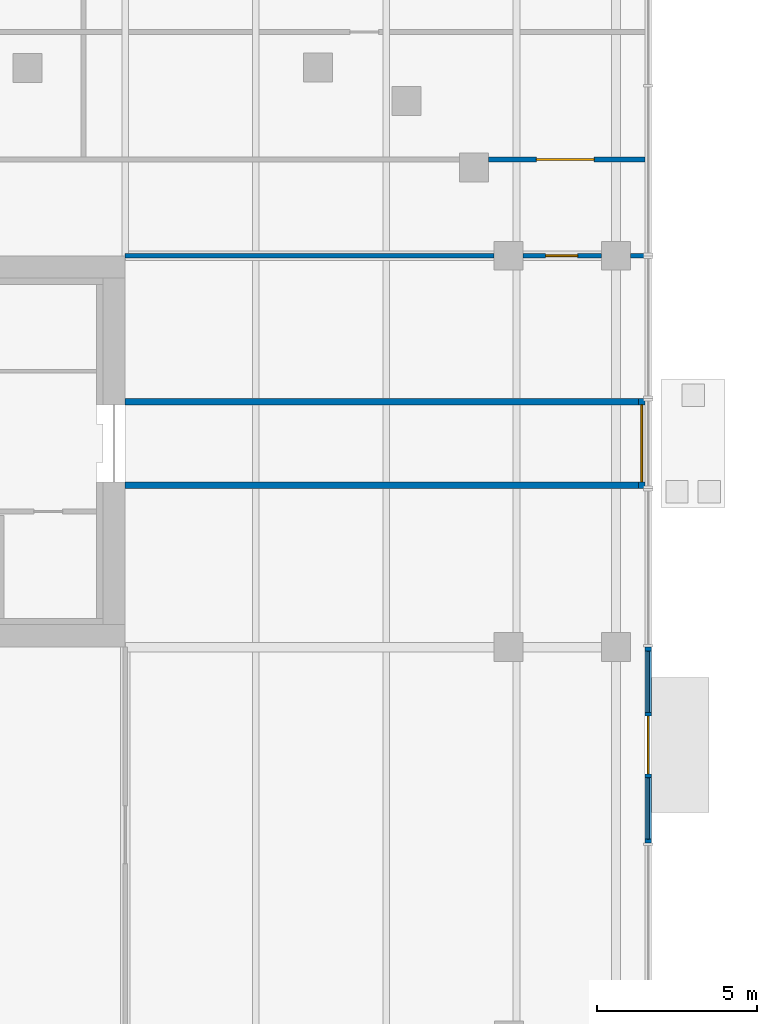
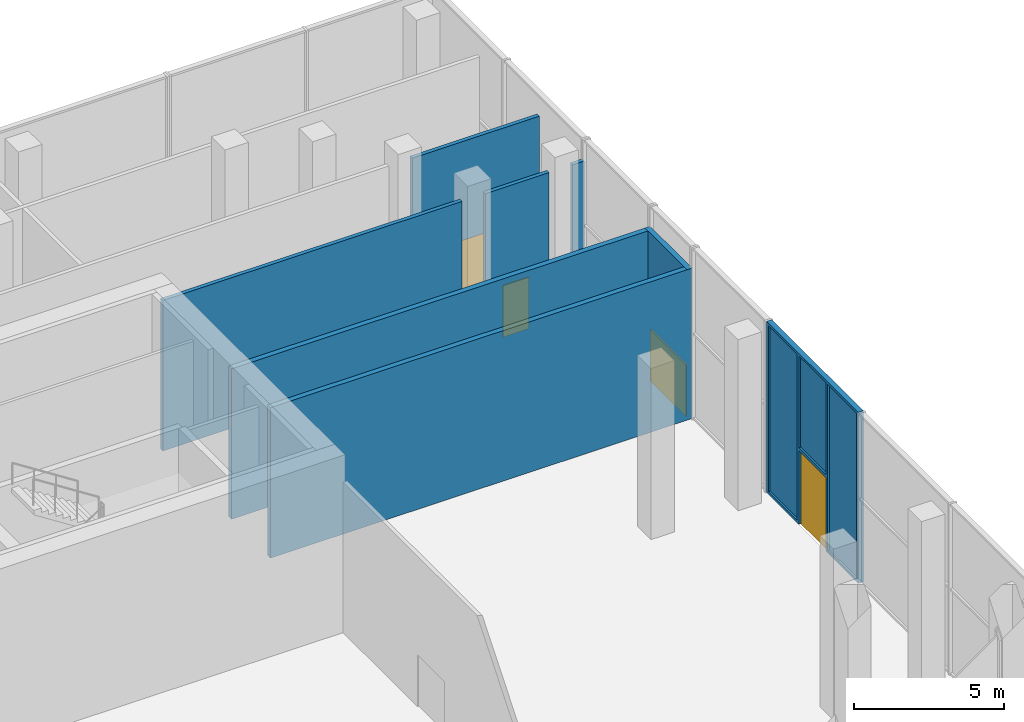
# One storey, part 25 of 36: 8 walls, 4 doors, 3 plates, 7 openings.
"""IFC4 building model written with IfcOpenShell, lengths in metres."""

from ifc_helpers import new_model, si_unit, direction, frame, frame_2d, origin, place, context, subcontext, project, spatial, polyline, rectangle, outline, extrude, source, transform, mapped, material, layer, layer_set, type_object, element, fill, save


model = new_model("IFC4")

# Units and contexts
model_context = context("Model", 3, precision=1e-05, world=origin(), true_north=direction((0.0, 1.0)))
body_context = subcontext(model_context, "Body", "Model", "MODEL_VIEW")
ifc_project = project(units=[si_unit("LENGTHUNIT", "METRE"), si_unit("AREAUNIT", "SQUARE_METRE"), si_unit("VOLUMEUNIT", "CUBIC_METRE"), si_unit("PLANEANGLEUNIT", "RADIAN"), si_unit("MASSUNIT", "GRAM", prefix="KILO")], contexts=[model_context])

# Site, building, storey
site_placement = place(None, origin())
site = spatial("IfcSite", under=ifc_project, at=site_placement, CompositionType="ELEMENT")
building_placement = place(site_placement, origin())
building = spatial("IfcBuilding", under=site, at=building_placement, Name="Tessera Gate Towers", CompositionType="ELEMENT")
storey_placement = place(building_placement, origin())
storey = spatial("IfcBuildingStorey", under=building, at=storey_placement, Name="L00", CompositionType="ELEMENT", Elevation=0.0)

# Wall
ifc_material_1 = material(Name="Gypsum board on steel studs, mineral wool", Category="steel")
ifc_layer_1 = layer(ifc_material_1, 0.14990234375)
ifc_layer_set_1 = layer_set([ifc_layer_1], Name="CORRIDOR WALL 150")
wall_type_1 = type_object("IfcWallType", Name="CORRIDOR WALL 150", PredefinedType="PARTITIONING", material=ifc_layer_set_1)
wall_1_placement = place(storey_placement, frame((122.0, 48.800048828125, 0.0), z_axis=(0.0, 0.0, 1.0), x_axis=(1.0, 0.0, 0.0)))
element("IfcWall", 1, at=wall_1_placement, inside=storey, type_object=wall_type_1, Name="PODIUM-L00-PW-018", PredefinedType="PARTITIONING", context=body_context, shape_type="SweptSolid", body=[
    extrude(rectangle(XDim=11.4990234375, YDim=0.14990234375, at=frame_2d((5.74951171875, 0.0))), origin(), (0.0, 0.0, 1.0), 6.114990234375),
])

# Wall, opening, door
wall_2_placement = place(storey_placement, frame((136.84912109375, 48.800048828125, 0.0), z_axis=(0.0, 0.0, 1.0), x_axis=(-1.0, 0.0, 0.0)))
wall_2 = element("IfcWall", 2, at=wall_2_placement, inside=storey, type_object=wall_type_1, Name="PODIUM-L00-PW-019", PredefinedType="PARTITIONING", context=body_context, shape_type="SweptSolid", body=[
    extrude(rectangle(XDim=2.4482421875, YDim=0.14990234375, at=frame_2d((1.22412109375, 0.0))), origin(), (0.0, 0.0, 1.0), 6.114990234375),
])
shared_shape_1 = source(origin(), body_context, "Body", "SweptSolid", [
    extrude(rectangle(XDim=1.0, YDim=2.10009765625, at=frame_2d((0.5, 1.050048828125))), frame((0.0, 0.0849609375, 0.0), z_axis=(0.0, -1.0, 0.0), x_axis=(1.0, 0.0, 0.0)), (0.0, 0.0, 1.0), 0.169921875),
])
opening_1_placement = place(wall_2_placement, frame((0.748046875, 0.0, 0.0)))
opening_1 = element("IfcOpeningElement", 3, at=opening_1_placement, cuts=wall_2, Name="Opening D2100FD60-P01-03", PredefinedType="OPENING", context=body_context, shape_type="MappedRepresentation", body=[
    mapped(shared_shape_1, transform((0.0, 0.0, 0.0), scale=1.0)),
])
ifc_material_2 = material(Name="Timber door leaf in steel frame", Category="steel")
door_type_1 = type_object("IfcDoorType", Name="TENANCY ENTRANCE DOOR 1000 FD60", OperationType="NOTDEFINED", PredefinedType="DOOR", material=ifc_material_2)
shared_shape_2 = source(origin(), body_context, "Body", "SweptSolid", [
    extrude(rectangle(XDim=1.0, YDim=2.10009765625, at=frame_2d((0.5, 1.050048828125))), frame((0.0, 0.02490234375, 0.0), z_axis=(0.0, -1.0, 0.0), x_axis=(1.0, 0.0, 0.0)), (0.0, 0.0, 1.0), 0.050048828125),
])
door_1_placement = place(opening_1_placement, origin())
door_1 = element("IfcDoor", 4, at=door_1_placement, inside=storey, type_object=door_type_1, Name="PODIUM-L00-PD-015", OperationType="SINGLE_SWING_RIGHT", OverallHeight=2.10009765625, OverallWidth=1.0, PredefinedType="DOOR", context=body_context, shape_type="MappedRepresentation", body=[
    mapped(shared_shape_2, transform((0.0, 0.0, 0.0), scale=1.0)),
])
fill(opening_1, door_1)

# Wall
wall_3_placement = place(storey_placement, frame((137.7509765625, 48.800048828125, 0.0), z_axis=(0.0, 0.0, 1.0), x_axis=(1.0, 0.0, 0.0)))
element("IfcWall", 5, at=wall_3_placement, inside=storey, type_object=wall_type_1, Name="PODIUM-L00-PW-020", PredefinedType="PARTITIONING", context=body_context, shape_type="SweptSolid", body=[
    extrude(rectangle(XDim=0.448974609375, YDim=0.14990234375, at=frame_2d((0.224609375, 0.0))), origin(), (0.0, 0.0, 1.0), 6.114990234375),
])

# Wall, opening, door
wall_4_placement = place(storey_placement, frame((133.320068359375, 51.800048828125, 0.0), z_axis=(0.0, 0.0, 1.0), x_axis=(1.0, 0.0, 0.0)))
wall_4 = element("IfcWall", 6, at=wall_4_placement, inside=storey, type_object=wall_type_1, Name="PODIUM-L00-PW-026", PredefinedType="PARTITIONING", context=body_context, shape_type="SweptSolid", body=[
    extrude(rectangle(XDim=4.8798828125, YDim=0.14990234375, at=frame_2d((2.43994140625, 0.0))), origin(), (0.0, 0.0, 1.0), 6.114990234375),
])
shared_shape_3 = source(origin(), body_context, "Body", "SweptSolid", [
    extrude(rectangle(XDim=1.800048828125, YDim=2.10009765625, at=frame_2d((0.89990234375, 1.050048828125))), frame((0.0, 0.0849609375, 0.0), z_axis=(0.0, -1.0, 0.0), x_axis=(1.0, 0.0, 0.0)), (0.0, 0.0, 1.0), 0.169921875),
])
opening_2_placement = place(wall_4_placement, frame((1.5, 0.0, 0.0)))
opening_2 = element("IfcOpeningElement", 7, at=opening_2_placement, cuts=wall_4, Name="Opening D2180FD60-P01-08", PredefinedType="OPENING", context=body_context, shape_type="MappedRepresentation", body=[
    mapped(shared_shape_3, transform((0.0, 0.0, 0.0), scale=1.0)),
])
ifc_material_3 = material(Name="Timber door leaf in steel frame", Category="steel")
door_type_2 = type_object("IfcDoorType", Name="TENANCY ENTRANCE DOUBLE DOOR 1800 FD60", OperationType="NOTDEFINED", PredefinedType="DOOR", material=ifc_material_3)
shared_shape_4 = source(origin(), body_context, "Body", "SweptSolid", [
    extrude(rectangle(XDim=1.800048828125, YDim=2.10009765625, at=frame_2d((0.89990234375, 1.050048828125))), frame((0.0, 0.02490234375, 0.0), z_axis=(0.0, -1.0, 0.0), x_axis=(1.0, 0.0, 0.0)), (0.0, 0.0, 1.0), 0.050048828125),
])
door_2_placement = place(opening_2_placement, origin())
door_2 = element("IfcDoor", 8, at=door_2_placement, inside=storey, type_object=door_type_2, Name="PODIUM-L00-PD-018", OperationType="DOUBLE_DOOR_SINGLE_SWING", OverallHeight=2.10009765625, OverallWidth=1.800048828125, PredefinedType="DOOR", context=body_context, shape_type="MappedRepresentation", body=[
    mapped(shared_shape_4, transform((0.0, 0.0, 0.0), scale=1.0)),
])
fill(opening_2, door_2)

# Walls
ifc_material_4 = material(Name="Gypsum board on steel studs", Category="steel")
ifc_layer_2 = layer(ifc_material_4, 0.199951171875)
ifc_layer_set_2 = layer_set([ifc_layer_2], Name="EXIT PASSAGE WALL 200")
wall_type_2 = type_object("IfcWallType", Name="EXIT PASSAGE WALL 200", PredefinedType="PARTITIONING", material=ifc_layer_set_2)
for number, where, z_axis, x_axis, name in (
    (9, (122.0, 41.64990234375, 0.0), (0.0, 0.0, 1.0), (1.0, 0.0, 0.0), "L00 exit passage wall"),
    (10, (122.0, 44.25, 0.0), (0.0, 0.0, 1.0), (1.0, 0.0, 0.0), "L00 exit passage wall"),
):
    element("IfcWall", number, at=place(storey_placement, frame(where, z_axis=z_axis, x_axis=x_axis)), inside=storey, type_object=wall_type_2, Name=name, PredefinedType="PARTITIONING", context=body_context, shape_type="SweptSolid", body=[
        extrude(rectangle(XDim=16.199951171875, YDim=0.199951171875, at=frame_2d((8.10009765625, 0.0))), origin(), (0.0, 0.0, 1.0), 6.114990234375),
    ])

# Wall, opening, door
wall_5_placement = place(storey_placement, frame((138.10009765625, 44.35009765625, 0.0), z_axis=(0.0, 0.0, 1.0), x_axis=(0.0, -1.0, 0.0)))
wall_5 = element("IfcWall", 11, at=wall_5_placement, inside=storey, type_object=wall_type_2, Name="L00 exit passage end wall", PredefinedType="PARTITIONING", context=body_context, shape_type="SweptSolid", body=[
    extrude(rectangle(XDim=2.800048828125, YDim=0.199951171875, at=frame_2d((1.39990234375, 0.0))), origin(), (0.0, 0.0, 1.0), 6.114990234375),
])
shared_shape_5 = source(origin(), body_context, "Body", "SweptSolid", [
    extrude(rectangle(XDim=2.39990234375, YDim=2.10009765625, at=frame_2d((1.199951171875, 1.050048828125))), frame((0.0, 0.10986328125, 0.0), z_axis=(0.0, -1.0, 0.0), x_axis=(1.0, 0.0, 0.0)), (0.0, 0.0, 1.0), 0.219970703125),
])
opening_3_placement = place(wall_5_placement, frame((0.199951171875, 0.0, 0.0)))
opening_3 = element("IfcOpeningElement", 12, at=opening_3_placement, cuts=wall_5, Name="Opening ED-T2-COREX", PredefinedType="OPENING", context=body_context, shape_type="MappedRepresentation", body=[
    mapped(shared_shape_5, transform((0.0, 0.0, 0.0), scale=1.0)),
])
ifc_material_5 = material(Name="Hollow steel fire door", Category="steel")
door_type_3 = type_object("IfcDoorType", Name="CORE DOOR DD2400 2400x2100", OperationType="NOTDEFINED", PredefinedType="DOOR", material=ifc_material_5)
shared_shape_6 = source(origin(), body_context, "Body", "SweptSolid", [
    extrude(rectangle(XDim=2.39990234375, YDim=2.10009765625, at=frame_2d((1.199951171875, 1.050048828125))), frame((0.0, 0.02490234375, 0.0), z_axis=(0.0, -1.0, 0.0), x_axis=(1.0, 0.0, 0.0)), (0.0, 0.0, 1.0), 0.050048828125),
])
door_3_placement = place(opening_3_placement, origin())
door_3 = element("IfcDoor", 13, at=door_3_placement, inside=storey, type_object=door_type_3, Name="Final exit door", OperationType="DOUBLE_DOOR_SINGLE_SWING", OverallHeight=2.10009765625, OverallWidth=2.39990234375, PredefinedType="DOOR", context=body_context, shape_type="MappedRepresentation", body=[
    mapped(shared_shape_6, transform((0.0, 0.0, 0.0), scale=1.0)),
])
fill(opening_3, door_3)

# Wall, openings, plates, door
ifc_material_6 = material(Name="Aluminium storefront glazing", Category="aluminium")
ifc_layer_3 = layer(ifc_material_6, 0.199951171875)
ifc_layer_set_3 = layer_set([ifc_layer_3], Name="WS2 storefront bay wall")
wall_type_3 = type_object("IfcWallType", Name="WS2 storefront bay wall", PredefinedType="PARTITIONING", material=ifc_layer_set_3)
wall_6_placement = place(storey_placement, frame((138.300048828125, 30.5, 0.0), z_axis=(0.0, 0.0, 1.0), x_axis=(0.0, 1.0, 0.0)))
wall_6 = element("IfcWall", 14, at=wall_6_placement, inside=storey, type_object=wall_type_3, Name="Storefront bay wall PD WS2-0002", PredefinedType="PARTITIONING", context=body_context, shape_type="SweptSolid", body=[
    extrude(rectangle(XDim=6.10009765625, YDim=0.199951171875, at=frame_2d((3.050048828125, 0.0))), origin(), (0.0, 0.0, 1.0), 6.949951171875),
])
shared_shape_7 = source(origin(), body_context, "Body", "SweptSolid", [
    extrude(rectangle(XDim=1.800048828125, YDim=3.0, at=frame_2d((0.89990234375, 1.5))), frame((0.0, 0.10986328125, 0.0), z_axis=(0.0, -1.0, 0.0), x_axis=(1.0, 0.0, 0.0)), (0.0, 0.0, 1.0), 0.219970703125),
])
opening_4_placement = place(wall_6_placement, frame((2.14990234375, 0.0, 0.0)))
opening_4 = element("IfcOpeningElement", 15, at=opening_4_placement, cuts=wall_6, Name="Opening D-EP02", PredefinedType="OPENING", context=body_context, shape_type="MappedRepresentation", body=[
    mapped(shared_shape_7, transform((0.0, 0.0, 0.0), scale=1.0)),
])
shared_shape_8 = source(origin(), body_context, "Body", "SweptSolid", [
    extrude(outline(polyline([(0.1201171875, 0.10009765625), (2.030029296875, 0.10009765625), (2.030029296875, 6.85009765625), (0.1201171875, 6.85009765625), (0.1201171875, 0.10009765625)])), frame((0.0, 0.10986328125, 0.0), z_axis=(0.0, -1.0, 0.0), x_axis=(1.0, 0.0, 0.0)), (0.0, 0.0, 1.0), 0.219970703125),
])
opening_5_placement = place(wall_6_placement, origin())
opening_5 = element("IfcOpeningElement", 16, at=opening_5_placement, cuts=wall_6, Name="Opening PD-PL3-0004", PredefinedType="OPENING", context=body_context, shape_type="MappedRepresentation", body=[
    mapped(shared_shape_8, transform((0.0, 0.0, 0.0), scale=1.0)),
])
shared_shape_9 = source(origin(), body_context, "Body", "SweptSolid", [
    extrude(outline(polyline([(4.070068359375, 0.10009765625), (5.97998046875, 0.10009765625), (5.97998046875, 6.85009765625), (4.070068359375, 6.85009765625), (4.070068359375, 0.10009765625)])), frame((0.0, 0.10986328125, 0.0), z_axis=(0.0, -1.0, 0.0), x_axis=(1.0, 0.0, 0.0)), (0.0, 0.0, 1.0), 0.219970703125),
])
opening_6_placement = place(wall_6_placement, origin())
opening_6 = element("IfcOpeningElement", 17, at=opening_6_placement, cuts=wall_6, Name="Opening PD-PL3-0005", PredefinedType="OPENING", context=body_context, shape_type="MappedRepresentation", body=[
    mapped(shared_shape_9, transform((0.0, 0.0, 0.0), scale=1.0)),
])
shared_shape_10 = source(origin(), body_context, "Body", "SweptSolid", [
    extrude(outline(polyline([(2.14990234375, 3.1201171875), (3.949951171875, 3.1201171875), (3.949951171875, 6.85009765625), (2.14990234375, 6.85009765625), (2.14990234375, 3.1201171875)])), frame((0.0, 0.10986328125, 0.0), z_axis=(0.0, -1.0, 0.0), x_axis=(1.0, 0.0, 0.0)), (0.0, 0.0, 1.0), 0.219970703125),
])
opening_7_placement = place(wall_6_placement, origin())
opening_7 = element("IfcOpeningElement", 18, at=opening_7_placement, cuts=wall_6, Name="Opening PD-PL3-0006", PredefinedType="OPENING", context=body_context, shape_type="MappedRepresentation", body=[
    mapped(shared_shape_10, transform((0.0, 0.0, 0.0), scale=1.0)),
])
ifc_material_7 = material(Name="Low-e laminated glass", Category="glass")
ifc_layer_4 = layer(ifc_material_7, 0.06005859375)
ifc_layer_set_4 = layer_set([ifc_layer_4], Name="PL3 storefront pane")
plate_type = type_object("IfcPlateType", Name="PL3 storefront pane", PredefinedType="SHEET", material=ifc_layer_set_4)
shared_shape_11 = source(origin(), body_context, "Body", "SweptSolid", [
    extrude(outline(polyline([(0.1201171875, 0.10009765625), (2.030029296875, 0.10009765625), (2.030029296875, 6.85009765625), (0.1201171875, 6.85009765625), (0.1201171875, 0.10009765625)])), frame((0.0, 0.030029296875, 0.0), z_axis=(0.0, -1.0, 0.0), x_axis=(1.0, 0.0, 0.0)), (0.0, 0.0, 1.0), 0.06005859375),
])
plate_1_placement = place(opening_5_placement, origin())
plate_1 = element("IfcPlate", 19, at=plate_1_placement, inside=storey, type_object=plate_type, Name="Glass pane PD PL3-0004", PredefinedType="SHEET", context=body_context, shape_type="MappedRepresentation", body=[
    mapped(shared_shape_11, transform((0.0, 0.0, 0.0), scale=1.0)),
])
fill(opening_5, plate_1)
shared_shape_12 = source(origin(), body_context, "Body", "SweptSolid", [
    extrude(outline(polyline([(4.070068359375, 0.10009765625), (5.97998046875, 0.10009765625), (5.97998046875, 6.85009765625), (4.070068359375, 6.85009765625), (4.070068359375, 0.10009765625)])), frame((0.0, 0.030029296875, 0.0), z_axis=(0.0, -1.0, 0.0), x_axis=(1.0, 0.0, 0.0)), (0.0, 0.0, 1.0), 0.06005859375),
])
plate_2_placement = place(opening_6_placement, origin())
plate_2 = element("IfcPlate", 20, at=plate_2_placement, inside=storey, type_object=plate_type, Name="Glass pane PD PL3-0005", PredefinedType="SHEET", context=body_context, shape_type="MappedRepresentation", body=[
    mapped(shared_shape_12, transform((0.0, 0.0, 0.0), scale=1.0)),
])
fill(opening_6, plate_2)
shared_shape_13 = source(origin(), body_context, "Body", "SweptSolid", [
    extrude(outline(polyline([(2.14990234375, 3.1201171875), (3.949951171875, 3.1201171875), (3.949951171875, 6.85009765625), (2.14990234375, 6.85009765625), (2.14990234375, 3.1201171875)])), frame((0.0, 0.030029296875, 0.0), z_axis=(0.0, -1.0, 0.0), x_axis=(1.0, 0.0, 0.0)), (0.0, 0.0, 1.0), 0.06005859375),
])
plate_3_placement = place(opening_7_placement, origin())
plate_3 = element("IfcPlate", 21, at=plate_3_placement, inside=storey, type_object=plate_type, Name="Glass pane PD PL3-0006", PredefinedType="SHEET", context=body_context, shape_type="MappedRepresentation", body=[
    mapped(shared_shape_13, transform((0.0, 0.0, 0.0), scale=1.0)),
])
fill(opening_7, plate_3)
ifc_material_8 = material(Name="Aluminium storefront glazing", Category="aluminium")
ifc_layer_5 = layer(ifc_material_8, 0.050048828125)
ifc_layer_set_5 = layer_set([ifc_layer_5], Name="DL1 entrance door")
door_type_4 = type_object("IfcDoorType", Name="DL1 entrance door", OperationType="DOUBLE_DOOR_SINGLE_SWING", PredefinedType="DOOR", material=ifc_layer_set_5)
shared_shape_14 = source(origin(), body_context, "Body", "SweptSolid", [
    extrude(rectangle(XDim=1.800048828125, YDim=3.0, at=frame_2d((0.89990234375, 1.5))), frame((0.0, 0.02490234375, 0.0), z_axis=(0.0, -1.0, 0.0), x_axis=(1.0, 0.0, 0.0)), (0.0, 0.0, 1.0), 0.050048828125),
])
door_4_placement = place(opening_4_placement, origin())
door_4 = element("IfcDoor", 22, at=door_4_placement, inside=storey, type_object=door_type_4, Name="Entrance door D-EP02", OperationType="DOUBLE_DOOR_SINGLE_SWING", OverallHeight=3.0, OverallWidth=1.800048828125, PredefinedType="DOOR", context=body_context, shape_type="MappedRepresentation", body=[
    mapped(shared_shape_14, transform((0.0, 0.0, 0.0), scale=1.0)),
])
fill(opening_4, door_4)

save(model, "model.ifc")
